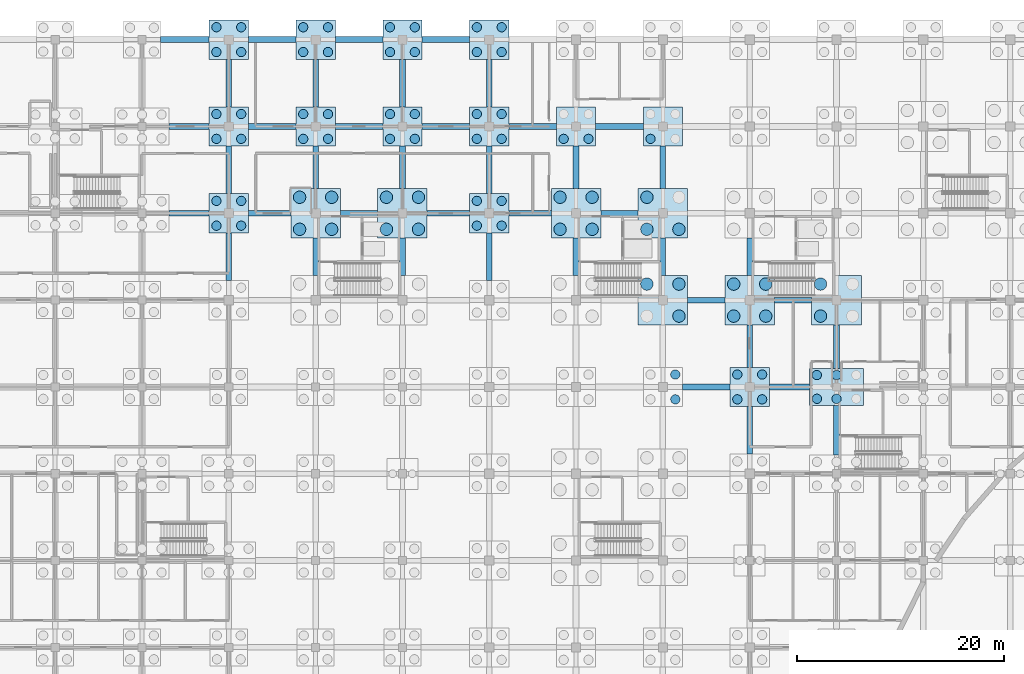
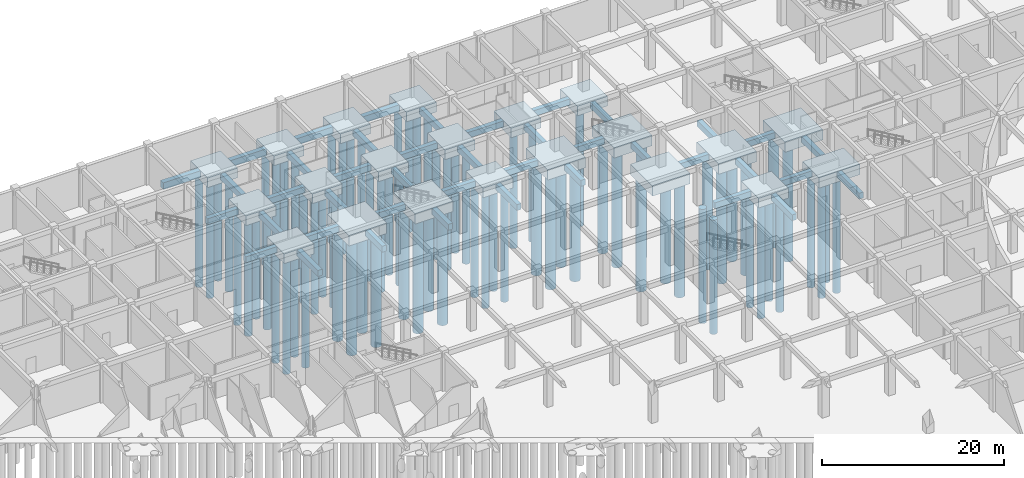
# One storey, part 11 of 65: 77 piles, 62 footings.
"""IFC4 building model written with IfcOpenShell, lengths in metres."""

import ifcopenshell
import ifcopenshell.guid

model = None  # the IFC model being written
_history = None  # IfcOwnerHistory: only IFC2X3 demands one
_inside = {}  # id of a spatial element -> (the spatial element, [elements in it])
_under = {}  # id of a project, library or spatial element -> (it, [spatial elements below it])
_declared = {}  # id of a project -> (the project, [libraries it declares])
_typed = {}  # id of a type object -> (the type object, [elements of that type])
_made_of = {}  # id of a material, layer set ... -> (it, [elements and type objects made of it])


def new_model(schema):
    """Start an empty IFC model of exactly this schema.

    Asked for "IFC4X3", IfcOpenShell would pick the latest addendum, in which some entities
    have other attributes; the version numbers below select the first issue.
    IFC2X3 requires an IfcOwnerHistory on every rooted entity: one is made here for all.
    """
    global model, _history
    if schema == "IFC4X3":
        model = ifcopenshell.file(schema_version=(4, 3, 0, 0))
    else:
        model = ifcopenshell.file(schema=schema)
    _inside.clear()
    _under.clear()
    _declared.clear()
    _typed.clear()
    _made_of.clear()
    _history = None
    if model.schema == "IFC2X3":
        org = make("IfcOrganization", Name="unknown")
        user = make(
            "IfcPersonAndOrganization",
            ThePerson=make("IfcPerson", FamilyName="unknown"),
            TheOrganization=org,
        )
        app = make(
            "IfcApplication",
            ApplicationDeveloper=org,
            Version="unknown",
            ApplicationFullName="unknown",
            ApplicationIdentifier="unknown",
        )
        _history = make(
            "IfcOwnerHistory",
            OwningUser=user,
            OwningApplication=app,
            ChangeAction="ADDED",
            CreationDate=0,
        )
    return model


def make(cls, **values):
    """One entity of the class cls with the attributes given. An attribute that is None is left unset."""
    return model.create_entity(
        cls, **{name: value for name, value in values.items() if value is not None}
    )


def rooted(cls, **values):
    """An entity with a GlobalId (a new one), such as an element, a storey or a relation."""
    return make(cls, GlobalId=ifcopenshell.guid.new(), OwnerHistory=_history, **values)


def si_unit(unit_type, name, prefix=None):
    """IfcSIUnit, for example si_unit("LENGTHUNIT", "METRE", prefix="MILLI")."""
    return make("IfcSIUnit", UnitType=unit_type, Prefix=prefix, Name=name)


def assignment(units):
    """IfcUnitAssignment: the units of a project."""
    return None if units is None else make("IfcUnitAssignment", Units=units)


def point(xyz):
    """IfcCartesianPoint."""
    return None if xyz is None else make("IfcCartesianPoint", Coordinates=xyz)


def direction(xyz):
    """IfcDirection."""
    return None if xyz is None else make("IfcDirection", DirectionRatios=xyz)


def frame(location, z_axis=None, x_axis=None):
    """IfcAxis2Placement3D, a coordinate frame: its origin and axes. An axis left out is left unset."""
    return make(
        "IfcAxis2Placement3D",
        Location=point(location),
        Axis=direction(z_axis),
        RefDirection=direction(x_axis),
    )


def frame_2d(location, x_axis=None):
    """IfcAxis2Placement2D, a coordinate frame in the plane: its origin and x axis."""
    return make(
        "IfcAxis2Placement2D", Location=point(location), RefDirection=direction(x_axis)
    )


def origin():
    """The frame at (0, 0, 0) with its axes left unset."""
    return frame((0.0, 0.0, 0.0))


def origin_2d():
    """The frame at (0, 0) in the plane with its x axis left unset."""
    return frame_2d((0.0, 0.0))


def place(relative_to, where):
    """IfcLocalPlacement: puts the frame where relative to a parent placement (None: the world)."""
    return make(
        "IfcLocalPlacement", PlacementRelTo=relative_to, RelativePlacement=where
    )


def context(
    kind, dimensions, precision=None, world=None, true_north=None, identifier=None
):
    """IfcGeometricRepresentationContext, for example the 3D "Model" context."""
    return make(
        "IfcGeometricRepresentationContext",
        ContextIdentifier=identifier,
        ContextType=kind,
        CoordinateSpaceDimension=dimensions,
        Precision=precision,
        WorldCoordinateSystem=world,
        TrueNorth=true_north,
    )


def subcontext(parent, identifier, kind, view, scale=None):
    """IfcGeometricRepresentationSubContext, for example "Body" below "Model"."""
    return make(
        "IfcGeometricRepresentationSubContext",
        ContextIdentifier=identifier,
        ContextType=kind,
        ParentContext=parent,
        TargetScale=scale,
        TargetView=view,
    )


def project(units=None, contexts=None):
    """IfcProject with its units and contexts."""
    return rooted(
        "IfcProject",
        Name="project",
        RepresentationContexts=contexts,
        UnitsInContext=assignment(units),
    )


def spatial(cls, under=None, at=None, **own):
    """A site, building, storey or space (cls), placed at a placement, below another one or the project."""
    s = rooted(cls, ObjectPlacement=at, **own)
    if under is not None:
        _under.setdefault(under.id(), (under, []))[1].append(s)
    return s


def profile(cls, at=None, kind="AREA", **sizes):
    """A parametric profile (cls). Its sizes go by their IFC names, for example OverallWidth=200.0."""
    return make(cls, ProfileType=kind, Position=at, **sizes)


def rectangle(**sizes):
    """IfcRectangleProfileDef."""
    return profile("IfcRectangleProfileDef", **sizes)


def circle(**sizes):
    """IfcCircleProfileDef."""
    return profile("IfcCircleProfileDef", **sizes)


def extrude(swept, where, along, depth):
    """IfcExtrudedAreaSolid: the profile swept, set in the frame where, extruded along a direction by depth."""
    return make(
        "IfcExtrudedAreaSolid",
        SweptArea=swept,
        Position=where,
        ExtrudedDirection=direction(along),
        Depth=depth,
    )


def shape(context_of_items, identifier, shape_type, items):
    """IfcShapeRepresentation: the items that make up one representation, for example the "Body"."""
    return make(
        "IfcShapeRepresentation",
        ContextOfItems=context_of_items,
        RepresentationIdentifier=identifier,
        RepresentationType=shape_type,
        Items=items,
    )


def material(Name=None, Category=None):
    """IfcMaterial."""
    return make("IfcMaterial", Name=Name, Category=Category)


def material_profile(
    of_material, cross_section, Name=None, Category=None, Priority=None
):
    """IfcMaterialProfile: a cross section and its material."""
    return make(
        "IfcMaterialProfile",
        Name=Name,
        Material=of_material,
        Profile=cross_section,
        Priority=Priority,
        Category=Category,
    )


def profile_set(profiles, Name=None, composite=None):
    """IfcMaterialProfileSet."""
    return make(
        "IfcMaterialProfileSet",
        Name=Name,
        MaterialProfiles=profiles,
        CompositeProfile=composite,
    )


def made_of(thing, what):
    """Note that an element or type object is made of a material, layer set ...; save() writes the relation."""
    if what is not None:
        _made_of.setdefault(what.id(), (what, []))[1].append(thing)
    return thing


def type_object(cls, material=None, **own):
    """A type object (cls), such as IfcWallType, which elements share."""
    return made_of(rooted(cls, **own), material)


def element(
    cls,
    number,
    at=None,
    inside=None,
    cuts=None,
    type_object=None,
    material=None,
    context=None,
    identifier="Body",
    shape_type=None,
    held_by="IfcProductDefinitionShape",
    body=None,
    shapes=None,
    **own,
):
    """One element of the class cls, such as IfcWall. Its Tag is "e" and its number.

    at: its placement. inside: the storey or other place that contains it. cuts: it is an
    opening in that element (IfcRelVoidsElement). A single representation is given by context,
    identifier, shape_type and body (its items); several are given by shapes. held_by: the class
    of the entity that holds the representations. save() writes the other relations.
    """
    e = rooted(cls, Tag="e%d" % number, ObjectPlacement=at, **own)
    if body is not None:
        shapes = [shape(context, identifier, shape_type, body)]
    if shapes is not None:
        e.Representation = make(held_by, Representations=shapes)
    if inside is not None:
        _inside.setdefault(inside.id(), (inside, []))[1].append(e)
    if cuts is not None:
        rooted(
            "IfcRelVoidsElement", RelatingBuildingElement=cuts, RelatedOpeningElement=e
        )
    if type_object is not None:
        _typed.setdefault(type_object.id(), (type_object, []))[1].append(e)
    return made_of(e, material)


def aggregate(whole, parts):
    """IfcRelAggregates: a whole, such as a stair, and the parts it consists of."""
    return rooted("IfcRelAggregates", RelatingObject=whole, RelatedObjects=parts)


def save(model, path):
    """Write the relations noted so far, then the file.

    IfcRelAggregates (storeys below a building ...), IfcRelContainedInSpatialStructure (elements
    in a storey), IfcRelDefinesByType, IfcRelAssociatesMaterial and IfcRelDeclares: one each for
    every whole, place, type object, material and project.
    """
    for whole, parts in _under.values():
        aggregate(whole, parts)
    for where, things in _inside.values():
        rooted(
            "IfcRelContainedInSpatialStructure",
            RelatedElements=things,
            RelatingStructure=where,
        )
    for kind, things in _typed.values():
        rooted("IfcRelDefinesByType", RelatedObjects=things, RelatingType=kind)
    for what, things in _made_of.values():
        rooted("IfcRelAssociatesMaterial", RelatedObjects=things, RelatingMaterial=what)
    for by, libraries in _declared.values():
        rooted("IfcRelDeclares", RelatingContext=by, RelatedDefinitions=libraries)
    model.write(path)


model = new_model("IFC4")

# Units and contexts
model_context = context("Model", 3, precision=1e-05, world=origin(), true_north=direction((0.0, 1.0)))
body_context = subcontext(model_context, "Body", "Model", "MODEL_VIEW")
ifc_project = project(units=[si_unit("LENGTHUNIT", "METRE"), si_unit("AREAUNIT", "SQUARE_METRE"), si_unit("VOLUMEUNIT", "CUBIC_METRE"), si_unit("PLANEANGLEUNIT", "RADIAN"), si_unit("MASSUNIT", "GRAM", prefix="KILO")], contexts=[model_context])

# Site, building, storey
site_placement = place(None, origin())
site = spatial("IfcSite", under=ifc_project, at=site_placement, CompositionType="ELEMENT")
building_placement = place(site_placement, origin())
building = spatial("IfcBuilding", under=site, at=building_placement, Name="Bramfleet General Hospital", CompositionType="ELEMENT")
storey_placement = place(building_placement, frame((0.0, 0.0, -5.39990234375)))
storey = spatial("IfcBuildingStorey", under=building, at=storey_placement, Name="B1", CompositionType="ELEMENT", Elevation=-5.39990234375)

# Footings
ifc_material = material(Name="Concrete C35/45", Category="concrete")
ifc_material_profile_1 = material_profile(ifc_material, rectangle(XDim=0.550048828125, YDim=0.800048828125, at=origin_2d()), Name="RC FB 800x550")
ifc_profile_set_1 = profile_set([ifc_material_profile_1], Name="Concrete C35/45")
footing_type_1 = type_object("IfcFootingType", Name="FTG-FB-01", PredefinedType="FOOTING_BEAM", material=ifc_profile_set_1)
for number, where, z_axis, x_axis, name in (
    (1, (61.39990234375, 100.800048828125, -0.900146484375), (1.0, 0.0, 0.0), (0.0, 1.0, 0.0), "Foundation Tie Beam X 07-12"),
    (2, (61.39990234375, 109.199951171875, -0.900146484375), (1.0, 0.0, 0.0), (0.0, 1.0, 0.0), "Foundation Tie Beam X 07-13"),
):
    element("IfcFooting", number, at=place(storey_placement, frame(where, z_axis=z_axis, x_axis=x_axis)), inside=storey, type_object=footing_type_1, Name=name, PredefinedType="FOOTING_BEAM", context=body_context, shape_type="SweptSolid", body=[
        extrude(rectangle(XDim=0.550048828125, YDim=0.800048828125, at=origin_2d()), origin(), (0.0, 0.0, 1.0), 3.900146484375),
    ])
footing_1_placement = place(storey_placement, frame((67.199951171875, 94.300048828125, -0.900146484375), z_axis=(0.0, 1.0, 0.0), x_axis=(-1.0, 0.0, 0.0)))
element("IfcFooting", 3, at=footing_1_placement, inside=storey, type_object=footing_type_1, Name="Foundation Tie Beam Y 08-11", PredefinedType="FOOTING_BEAM", context=body_context, shape_type="SweptSolid", body=[
    extrude(rectangle(XDim=0.550048828125, YDim=0.800048828125, at=origin_2d()), origin(), (0.0, 0.0, 1.0), 4.599853515625),
])
footing_2_placement = place(storey_placement, frame((69.10009765625, 100.800048828125, -0.900146484375), z_axis=(1.0, 0.0, 0.0), x_axis=(0.0, 1.0, 0.0)))
element("IfcFooting", 4, at=footing_2_placement, inside=storey, type_object=footing_type_1, Name="Foundation Tie Beam X 08-12", PredefinedType="FOOTING_BEAM", context=body_context, shape_type="SweptSolid", body=[
    extrude(rectangle(XDim=0.550048828125, YDim=0.800048828125, at=origin_2d()), origin(), (0.0, 0.0, 1.0), 4.099853515625),
])
footing_3_placement = place(storey_placement, frame((67.199951171875, 102.699951171875, -0.900146484375), z_axis=(0.0, 1.0, 0.0), x_axis=(-1.0, 0.0, 0.0)))
element("IfcFooting", 5, at=footing_3_placement, inside=storey, type_object=footing_type_1, Name="Foundation Tie Beam Y 08-12", PredefinedType="FOOTING_BEAM", context=body_context, shape_type="SweptSolid", body=[
    extrude(rectangle(XDim=0.550048828125, YDim=0.800048828125, at=origin_2d()), origin(), (0.0, 0.0, 1.0), 4.60009765625),
])
for number, where, z_axis, x_axis, name in (
    (6, (69.10009765625, 109.199951171875, -0.900146484375), (1.0, 0.0, 0.0), (0.0, 1.0, 0.0), "Foundation Tie Beam X 08-13"),
    (7, (67.199951171875, 111.10009765625, -0.900146484375), (0.0, 1.0, 0.0), (-1.0, 0.0, 0.0), "Foundation Tie Beam Y 08-13"),
):
    element("IfcFooting", number, at=place(storey_placement, frame(where, z_axis=z_axis, x_axis=x_axis)), inside=storey, type_object=footing_type_1, Name=name, PredefinedType="FOOTING_BEAM", context=body_context, shape_type="SweptSolid", body=[
        extrude(rectangle(XDim=0.550048828125, YDim=0.800048828125, at=origin_2d()), origin(), (0.0, 0.0, 1.0), 4.599853515625),
    ])
footing_4_placement = place(storey_placement, frame((75.60009765625, 94.800048828125, -0.900146484375), z_axis=(0.0, 1.0, 0.0), x_axis=(-1.0, 0.0, 0.0)))
element("IfcFooting", 8, at=footing_4_placement, inside=storey, type_object=footing_type_1, Name="Foundation Tie Beam Y 09-11", PredefinedType="FOOTING_BEAM", context=body_context, shape_type="SweptSolid", body=[
    extrude(rectangle(XDim=0.550048828125, YDim=0.800048828125, at=origin_2d()), origin(), (0.0, 0.0, 1.0), 3.599853515625),
])
footing_5_placement = place(storey_placement, frame((78.0, 100.800048828125, -0.900146484375), z_axis=(1.0, 0.0, 0.0), x_axis=(0.0, 1.0, 0.0)))
element("IfcFooting", 9, at=footing_5_placement, inside=storey, type_object=footing_type_1, Name="Foundation Tie Beam X 09-12", PredefinedType="FOOTING_BEAM", context=body_context, shape_type="SweptSolid", body=[
    extrude(rectangle(XDim=0.550048828125, YDim=0.800048828125, at=origin_2d()), origin(), (0.0, 0.0, 1.0), 3.60009765625),
])
footing_6_placement = place(storey_placement, frame((75.60009765625, 103.199951171875, -0.900146484375), z_axis=(0.0, 1.0, 0.0), x_axis=(-1.0, 0.0, 0.0)))
element("IfcFooting", 10, at=footing_6_placement, inside=storey, type_object=footing_type_1, Name="Foundation Tie Beam Y 09-12", PredefinedType="FOOTING_BEAM", context=body_context, shape_type="SweptSolid", body=[
    extrude(rectangle(XDim=0.550048828125, YDim=0.800048828125, at=origin_2d()), origin(), (0.0, 0.0, 1.0), 4.10009765625),
])
footing_7_placement = place(storey_placement, frame((77.5, 109.199951171875, -0.900146484375), z_axis=(1.0, 0.0, 0.0), x_axis=(0.0, 1.0, 0.0)))
element("IfcFooting", 11, at=footing_7_placement, inside=storey, type_object=footing_type_1, Name="Foundation Tie Beam X 09-13", PredefinedType="FOOTING_BEAM", context=body_context, shape_type="SweptSolid", body=[
    extrude(rectangle(XDim=0.550048828125, YDim=0.800048828125, at=origin_2d()), origin(), (0.0, 0.0, 1.0), 4.60009765625),
])
footing_8_placement = place(storey_placement, frame((75.60009765625, 111.10009765625, -0.900146484375), z_axis=(0.0, 1.0, 0.0), x_axis=(-1.0, 0.0, 0.0)))
element("IfcFooting", 12, at=footing_8_placement, inside=storey, type_object=footing_type_1, Name="Foundation Tie Beam Y 09-13", PredefinedType="FOOTING_BEAM", context=body_context, shape_type="SweptSolid", body=[
    extrude(rectangle(XDim=0.550048828125, YDim=0.800048828125, at=origin_2d()), origin(), (0.0, 0.0, 1.0), 4.599853515625),
])
footing_9_placement = place(storey_placement, frame((84.0, 94.800048828125, -0.900146484375), z_axis=(0.0, 1.0, 0.0), x_axis=(-1.0, 0.0, 0.0)))
element("IfcFooting", 13, at=footing_9_placement, inside=storey, type_object=footing_type_1, Name="Foundation Tie Beam Y 10-11", PredefinedType="FOOTING_BEAM", context=body_context, shape_type="SweptSolid", body=[
    extrude(rectangle(XDim=0.550048828125, YDim=0.800048828125, at=origin_2d()), origin(), (0.0, 0.0, 1.0), 3.599853515625),
])
for number, where, z_axis, x_axis, name in (
    (14, (86.39990234375, 100.800048828125, -0.900146484375), (1.0, 0.0, 0.0), (0.0, 1.0, 0.0), "Foundation Tie Beam X 10-12"),
    (15, (84.0, 103.199951171875, -0.900146484375), (0.0, 1.0, 0.0), (-1.0, 0.0, 0.0), "Foundation Tie Beam Y 10-12"),
):
    element("IfcFooting", number, at=place(storey_placement, frame(where, z_axis=z_axis, x_axis=x_axis)), inside=storey, type_object=footing_type_1, Name=name, PredefinedType="FOOTING_BEAM", context=body_context, shape_type="SweptSolid", body=[
        extrude(rectangle(XDim=0.550048828125, YDim=0.800048828125, at=origin_2d()), origin(), (0.0, 0.0, 1.0), 4.10009765625),
    ])
footing_10_placement = place(storey_placement, frame((85.89990234375, 109.199951171875, -0.900146484375), z_axis=(1.0, 0.0, 0.0), x_axis=(0.0, 1.0, 0.0)))
element("IfcFooting", 16, at=footing_10_placement, inside=storey, type_object=footing_type_1, Name="Foundation Tie Beam X 10-13", PredefinedType="FOOTING_BEAM", context=body_context, shape_type="SweptSolid", body=[
    extrude(rectangle(XDim=0.550048828125, YDim=0.800048828125, at=origin_2d()), origin(), (0.0, 0.0, 1.0), 4.60009765625),
])
for number, where, z_axis, x_axis, name in (
    (17, (84.0, 111.10009765625, -0.900146484375), (0.0, 1.0, 0.0), (-1.0, 0.0, 0.0), "Foundation Tie Beam Y 10-13"),
    (18, (92.39990234375, 94.300048828125, -0.900146484375), (0.0, 1.0, 0.0), (-1.0, 0.0, 0.0), "Foundation Tie Beam Y 11-11"),
):
    element("IfcFooting", number, at=place(storey_placement, frame(where, z_axis=z_axis, x_axis=x_axis)), inside=storey, type_object=footing_type_1, Name=name, PredefinedType="FOOTING_BEAM", context=body_context, shape_type="SweptSolid", body=[
        extrude(rectangle(XDim=0.550048828125, YDim=0.800048828125, at=origin_2d()), origin(), (0.0, 0.0, 1.0), 4.599853515625),
    ])
footing_11_placement = place(storey_placement, frame((94.300048828125, 100.800048828125, -0.900146484375), z_axis=(1.0, 0.0, 0.0), x_axis=(0.0, 1.0, 0.0)))
element("IfcFooting", 19, at=footing_11_placement, inside=storey, type_object=footing_type_1, Name="Foundation Tie Beam X 11-12", PredefinedType="FOOTING_BEAM", context=body_context, shape_type="SweptSolid", body=[
    extrude(rectangle(XDim=0.550048828125, YDim=0.800048828125, at=origin_2d()), origin(), (0.0, 0.0, 1.0), 4.099853515625),
])
footing_12_placement = place(storey_placement, frame((92.39990234375, 102.699951171875, -0.900146484375), z_axis=(0.0, 1.0, 0.0), x_axis=(-1.0, 0.0, 0.0)))
element("IfcFooting", 20, at=footing_12_placement, inside=storey, type_object=footing_type_1, Name="Foundation Tie Beam Y 11-12", PredefinedType="FOOTING_BEAM", context=body_context, shape_type="SweptSolid", body=[
    extrude(rectangle(XDim=0.550048828125, YDim=0.800048828125, at=origin_2d()), origin(), (0.0, 0.0, 1.0), 4.60009765625),
])
for number, where, z_axis, x_axis, name in (
    (21, (94.300048828125, 109.199951171875, -0.900146484375), (1.0, 0.0, 0.0), (0.0, 1.0, 0.0), "Foundation Tie Beam X 11-13"),
    (22, (92.39990234375, 111.10009765625, -0.900146484375), (0.0, 1.0, 0.0), (-1.0, 0.0, 0.0), "Foundation Tie Beam Y 11-13"),
):
    element("IfcFooting", number, at=place(storey_placement, frame(where, z_axis=z_axis, x_axis=x_axis)), inside=storey, type_object=footing_type_1, Name=name, PredefinedType="FOOTING_BEAM", context=body_context, shape_type="SweptSolid", body=[
        extrude(rectangle(XDim=0.550048828125, YDim=0.800048828125, at=origin_2d()), origin(), (0.0, 0.0, 1.0), 4.599853515625),
    ])
footing_13_placement = place(storey_placement, frame((100.800048828125, 94.800048828125, -0.900146484375), z_axis=(0.0, 1.0, 0.0), x_axis=(-1.0, 0.0, 0.0)))
element("IfcFooting", 23, at=footing_13_placement, inside=storey, type_object=footing_type_1, Name="Foundation Tie Beam Y 12-11", PredefinedType="FOOTING_BEAM", context=body_context, shape_type="SweptSolid", body=[
    extrude(rectangle(XDim=0.550048828125, YDim=0.800048828125, at=origin_2d()), origin(), (0.0, 0.0, 1.0), 3.599853515625),
])
footing_14_placement = place(storey_placement, frame((103.199951171875, 100.800048828125, -0.900146484375), z_axis=(1.0, 0.0, 0.0), x_axis=(0.0, 1.0, 0.0)))
element("IfcFooting", 24, at=footing_14_placement, inside=storey, type_object=footing_type_1, Name="Foundation Tie Beam X 12-12", PredefinedType="FOOTING_BEAM", context=body_context, shape_type="SweptSolid", body=[
    extrude(rectangle(XDim=0.550048828125, YDim=0.800048828125, at=origin_2d()), origin(), (0.0, 0.0, 1.0), 3.60009765625),
])
footing_15_placement = place(storey_placement, frame((100.800048828125, 103.199951171875, -0.900146484375), z_axis=(0.0, 1.0, 0.0), x_axis=(-1.0, 0.0, 0.0)))
element("IfcFooting", 25, at=footing_15_placement, inside=storey, type_object=footing_type_1, Name="Foundation Tie Beam Y 12-12", PredefinedType="FOOTING_BEAM", context=body_context, shape_type="SweptSolid", body=[
    extrude(rectangle(XDim=0.550048828125, YDim=0.800048828125, at=origin_2d()), origin(), (0.0, 0.0, 1.0), 4.10009765625),
])
footing_16_placement = place(storey_placement, frame((102.699951171875, 109.199951171875, -0.900146484375), z_axis=(1.0, 0.0, 0.0), x_axis=(0.0, 1.0, 0.0)))
element("IfcFooting", 26, at=footing_16_placement, inside=storey, type_object=footing_type_1, Name="Foundation Tie Beam X 12-13", PredefinedType="FOOTING_BEAM", context=body_context, shape_type="SweptSolid", body=[
    extrude(rectangle(XDim=0.550048828125, YDim=0.800048828125, at=origin_2d()), origin(), (0.0, 0.0, 1.0), 4.60009765625),
])
footing_17_placement = place(storey_placement, frame((111.10009765625, 84.0, -0.900146484375), z_axis=(1.0, 0.0, 0.0), x_axis=(0.0, 1.0, 0.0)))
element("IfcFooting", 27, at=footing_17_placement, inside=storey, type_object=footing_type_1, Name="Foundation Tie Beam X 13-10", PredefinedType="FOOTING_BEAM", context=body_context, shape_type="SweptSolid", body=[
    extrude(rectangle(XDim=0.550048828125, YDim=0.800048828125, at=origin_2d()), origin(), (0.0, 0.0, 1.0), 4.599853515625),
])
for number, where, z_axis, x_axis, name in (
    (28, (111.60009765625, 92.39990234375, -0.900146484375), (1.0, 0.0, 0.0), (0.0, 1.0, 0.0), "Foundation Tie Beam X 13-11"),
    (29, (109.199951171875, 94.800048828125, -0.900146484375), (0.0, 1.0, 0.0), (-1.0, 0.0, 0.0), "Foundation Tie Beam Y 13-11"),
):
    element("IfcFooting", number, at=place(storey_placement, frame(where, z_axis=z_axis, x_axis=x_axis)), inside=storey, type_object=footing_type_1, Name=name, PredefinedType="FOOTING_BEAM", context=body_context, shape_type="SweptSolid", body=[
        extrude(rectangle(XDim=0.550048828125, YDim=0.800048828125, at=origin_2d()), origin(), (0.0, 0.0, 1.0), 3.599853515625),
    ])
footing_18_placement = place(storey_placement, frame((109.199951171875, 103.199951171875, -0.900146484375), z_axis=(0.0, 1.0, 0.0), x_axis=(-1.0, 0.0, 0.0)))
element("IfcFooting", 30, at=footing_18_placement, inside=storey, type_object=footing_type_1, Name="Foundation Tie Beam Y 13-12", PredefinedType="FOOTING_BEAM", context=body_context, shape_type="SweptSolid", body=[
    extrude(rectangle(XDim=0.550048828125, YDim=0.800048828125, at=origin_2d()), origin(), (0.0, 0.0, 1.0), 4.10009765625),
])
footing_19_placement = place(storey_placement, frame((117.60009765625, 77.5, -0.900146484375), z_axis=(0.0, 1.0, 0.0), x_axis=(-1.0, 0.0, 0.0)))
element("IfcFooting", 31, at=footing_19_placement, inside=storey, type_object=footing_type_1, Name="Foundation Tie Beam Y 14-09", PredefinedType="FOOTING_BEAM", context=body_context, shape_type="SweptSolid", body=[
    extrude(rectangle(XDim=0.550048828125, YDim=0.800048828125, at=origin_2d()), origin(), (0.0, 0.0, 1.0), 4.60009765625),
])
footing_20_placement = place(storey_placement, frame((119.5, 84.0, -0.900146484375), z_axis=(1.0, 0.0, 0.0), x_axis=(0.0, 1.0, 0.0)))
element("IfcFooting", 32, at=footing_20_placement, inside=storey, type_object=footing_type_1, Name="Foundation Tie Beam X 14-10", PredefinedType="FOOTING_BEAM", context=body_context, shape_type="SweptSolid", body=[
    extrude(rectangle(XDim=0.550048828125, YDim=0.800048828125, at=origin_2d()), origin(), (0.0, 0.0, 1.0), 3.89990234375),
])
footing_21_placement = place(storey_placement, frame((117.60009765625, 85.89990234375, -0.900146484375), z_axis=(0.0, 1.0, 0.0), x_axis=(-1.0, 0.0, 0.0)))
element("IfcFooting", 33, at=footing_21_placement, inside=storey, type_object=footing_type_1, Name="Foundation Tie Beam Y 14-10", PredefinedType="FOOTING_BEAM", context=body_context, shape_type="SweptSolid", body=[
    extrude(rectangle(XDim=0.550048828125, YDim=0.800048828125, at=origin_2d()), origin(), (0.0, 0.0, 1.0), 4.10009765625),
])
footing_22_placement = place(storey_placement, frame((120.0, 92.39990234375, -0.900146484375), z_axis=(1.0, 0.0, 0.0), x_axis=(0.0, 1.0, 0.0)))
element("IfcFooting", 34, at=footing_22_placement, inside=storey, type_object=footing_type_1, Name="Foundation Tie Beam X 14-11", PredefinedType="FOOTING_BEAM", context=body_context, shape_type="SweptSolid", body=[
    extrude(rectangle(XDim=0.550048828125, YDim=0.800048828125, at=origin_2d()), origin(), (0.0, 0.0, 1.0), 3.60009765625),
])
footing_23_placement = place(storey_placement, frame((117.60009765625, 94.800048828125, -0.900146484375), z_axis=(0.0, 1.0, 0.0), x_axis=(-1.0, 0.0, 0.0)))
element("IfcFooting", 35, at=footing_23_placement, inside=storey, type_object=footing_type_1, Name="Foundation Tie Beam Y 14-11", PredefinedType="FOOTING_BEAM", context=body_context, shape_type="SweptSolid", body=[
    extrude(rectangle(XDim=0.550048828125, YDim=0.800048828125, at=origin_2d()), origin(), (0.0, 0.0, 1.0), 3.599853515625),
])
footing_24_placement = place(storey_placement, frame((126.0, 77.39990234375, -0.900146484375), z_axis=(0.0, 1.0, 0.0), x_axis=(-1.0, 0.0, 0.0)))
element("IfcFooting", 36, at=footing_24_placement, inside=storey, type_object=footing_type_1, Name="Foundation Tie Beam Y 15-09", PredefinedType="FOOTING_BEAM", context=body_context, shape_type="SweptSolid", body=[
    extrude(rectangle(XDim=0.550048828125, YDim=0.800048828125, at=origin_2d()), origin(), (0.0, 0.0, 1.0), 4.800048828125),
])
footing_25_placement = place(storey_placement, frame((126.0, 85.800048828125, -0.900146484375), z_axis=(0.0, 1.0, 0.0), x_axis=(-1.0, 0.0, 0.0)))
element("IfcFooting", 37, at=footing_25_placement, inside=storey, type_object=footing_type_1, Name="Foundation Tie Beam Y 15-10", PredefinedType="FOOTING_BEAM", context=body_context, shape_type="SweptSolid", body=[
    extrude(rectangle(XDim=0.550048828125, YDim=0.800048828125, at=origin_2d()), origin(), (0.0, 0.0, 1.0), 4.199951171875),
])
ifc_material_profile_2 = material_profile(ifc_material, rectangle(XDim=0.60009765625, YDim=0.89990234375, at=origin_2d()), Name="RC FB 900x600")
ifc_profile_set_2 = profile_set([ifc_material_profile_2], Name="Concrete C35/45")
footing_type_2 = type_object("IfcFootingType", Name="FTG-FB-02", PredefinedType="FOOTING_BEAM", material=ifc_profile_set_2)
footing_26_placement = place(storey_placement, frame((60.60009765625, 117.60009765625, -0.9501953125), z_axis=(1.0, 0.0, 0.0), x_axis=(0.0, 1.0, 0.0)))
element("IfcFooting", 38, at=footing_26_placement, inside=storey, type_object=footing_type_2, Name="Foundation Tie Beam X 07-14", PredefinedType="FOOTING_BEAM", context=body_context, shape_type="SweptSolid", body=[
    extrude(rectangle(XDim=0.60009765625, YDim=0.89990234375, at=origin_2d()), origin(), (0.0, 0.0, 1.0), 4.699951171875),
])
footing_27_placement = place(storey_placement, frame((69.10009765625, 117.60009765625, -0.9501953125), z_axis=(1.0, 0.0, 0.0), x_axis=(0.0, 1.0, 0.0)))
element("IfcFooting", 39, at=footing_27_placement, inside=storey, type_object=footing_type_2, Name="Foundation Tie Beam X 08-14", PredefinedType="FOOTING_BEAM", context=body_context, shape_type="SweptSolid", body=[
    extrude(rectangle(XDim=0.60009765625, YDim=0.89990234375, at=origin_2d()), origin(), (0.0, 0.0, 1.0), 4.599853515625),
])
for number, where, z_axis, x_axis, name in (
    (40, (77.5, 117.60009765625, -0.9501953125), (1.0, 0.0, 0.0), (0.0, 1.0, 0.0), "Foundation Tie Beam X 09-14"),
    (41, (85.89990234375, 117.60009765625, -0.9501953125), (1.0, 0.0, 0.0), (0.0, 1.0, 0.0), "Foundation Tie Beam X 10-14"),
):
    element("IfcFooting", number, at=place(storey_placement, frame(where, z_axis=z_axis, x_axis=x_axis)), inside=storey, type_object=footing_type_2, Name=name, PredefinedType="FOOTING_BEAM", context=body_context, shape_type="SweptSolid", body=[
        extrude(rectangle(XDim=0.60009765625, YDim=0.89990234375, at=origin_2d()), origin(), (0.0, 0.0, 1.0), 4.60009765625),
    ])
footing_type_3 = type_object("IfcFootingType", Name="FTG-PC-04", PredefinedType="PILE_CAP", material=ifc_material)
for number, where, z_axis, x_axis, name in (
    (42, (67.199951171875, 100.800048828125, -1.80029296875), (0.0, 0.0, 1.0), (1.0, 0.0, 0.0), "Pile Cap FTG-B1-08-12"),
    (43, (67.199951171875, 109.199951171875, -1.80029296875), (0.0, 0.0, 1.0), (1.0, 0.0, 0.0), "Pile Cap FTG-B1-08-13"),
    (44, (67.199951171875, 117.60009765625, -1.80029296875), (0.0, 0.0, 1.0), (1.0, 0.0, 0.0), "Pile Cap FTG-B1-08-14"),
    (45, (75.60009765625, 109.199951171875, -1.80029296875), (0.0, 0.0, 1.0), (1.0, 0.0, 0.0), "Pile Cap FTG-B1-09-13"),
    (46, (75.60009765625, 117.60009765625, -1.80029296875), (0.0, 0.0, 1.0), (1.0, 0.0, 0.0), "Pile Cap FTG-B1-09-14"),
    (47, (84.0, 109.199951171875, -1.80029296875), (0.0, 0.0, 1.0), (1.0, 0.0, 0.0), "Pile Cap FTG-B1-10-13"),
    (48, (84.0, 117.60009765625, -1.80029296875), (0.0, 0.0, 1.0), (1.0, 0.0, 0.0), "Pile Cap FTG-B1-10-14"),
    (49, (92.39990234375, 100.800048828125, -1.80029296875), (0.0, 0.0, 1.0), (1.0, 0.0, 0.0), "Pile Cap FTG-B1-11-12"),
    (50, (92.39990234375, 109.199951171875, -1.80029296875), (0.0, 0.0, 1.0), (1.0, 0.0, 0.0), "Pile Cap FTG-B1-11-13"),
    (51, (92.39990234375, 117.60009765625, -1.80029296875), (0.0, 0.0, 1.0), (1.0, 0.0, 0.0), "Pile Cap FTG-B1-11-14"),
    (52, (100.800048828125, 109.199951171875, -1.80029296875), (0.0, 0.0, 1.0), (1.0, 0.0, 0.0), "Pile Cap FTG-B1-12-13"),
    (53, (109.199951171875, 109.199951171875, -1.80029296875), (0.0, 0.0, 1.0), (1.0, 0.0, 0.0), "Pile Cap FTG-B1-13-13"),
    (54, (117.60009765625, 84.0, -1.80029296875), (0.0, 0.0, 1.0), (1.0, 0.0, 0.0), "Pile Cap FTG-B1-14-10"),
):
    element("IfcFooting", number, at=place(storey_placement, frame(where, z_axis=z_axis, x_axis=x_axis)), inside=storey, type_object=footing_type_3, Name=name, PredefinedType="PILE_CAP", context=body_context, shape_type="SweptSolid", body=[
        extrude(rectangle(XDim=3.800048828125, YDim=3.800048828125, at=origin_2d()), origin(), (0.0, 0.0, 1.0), 1.300048828125),
    ])
footing_type_4 = type_object("IfcFootingType", Name="FTG-PC-05", PredefinedType="PILE_CAP", material=ifc_material)
for number, where, z_axis, x_axis, name in (
    (55, (75.60009765625, 100.800048828125, -1.900146484375), (0.0, 0.0, 1.0), (1.0, 0.0, 0.0), "Pile Cap FTG-B1-09-12"),
    (56, (84.0, 100.800048828125, -1.900146484375), (0.0, 0.0, 1.0), (1.0, 0.0, 0.0), "Pile Cap FTG-B1-10-12"),
    (57, (100.800048828125, 100.800048828125, -1.900146484375), (0.0, 0.0, 1.0), (1.0, 0.0, 0.0), "Pile Cap FTG-B1-12-12"),
    (58, (109.199951171875, 92.39990234375, -1.900146484375), (0.0, 0.0, 1.0), (1.0, 0.0, 0.0), "Pile Cap FTG-B1-13-11"),
    (59, (109.199951171875, 100.800048828125, -1.900146484375), (0.0, 0.0, 1.0), (1.0, 0.0, 0.0), "Pile Cap FTG-B1-13-12"),
    (60, (117.60009765625, 92.39990234375, -1.900146484375), (0.0, 0.0, 1.0), (1.0, 0.0, 0.0), "Pile Cap FTG-B1-14-11"),
    (61, (126.0, 92.39990234375, -1.900146484375), (0.0, 0.0, 1.0), (1.0, 0.0, 0.0), "Pile Cap FTG-B1-15-11"),
):
    element("IfcFooting", number, at=place(storey_placement, frame(where, z_axis=z_axis, x_axis=x_axis)), inside=storey, type_object=footing_type_4, Name=name, PredefinedType="PILE_CAP", context=body_context, shape_type="SweptSolid", body=[
        extrude(rectangle(XDim=4.800048828125, YDim=4.800048828125, at=origin_2d()), origin(), (0.0, 0.0, 1.0), 1.39990234375),
    ])
footing_type_5 = type_object("IfcFootingType", Name="FTG-PC-06", PredefinedType="PILE_CAP", material=ifc_material)
footing_28_placement = place(storey_placement, frame((126.0, 84.0, -1.900146484375), z_axis=(0.0, 0.0, 1.0), x_axis=(1.0, 0.0, 0.0)))
element("IfcFooting", 62, at=footing_28_placement, inside=storey, type_object=footing_type_5, Name="Pile Cap FTG-B1-15-10", PredefinedType="PILE_CAP", context=body_context, shape_type="SweptSolid", body=[
    extrude(rectangle(XDim=5.199951171875, YDim=3.60009765625, at=origin_2d()), origin(), (0.0, 0.0, 1.0), 1.39990234375),
])

# Piles
ifc_material_profile_3 = material_profile(ifc_material, circle(Radius=0.60009765625, at=origin_2d()), Name="PILE BORED D1200")
ifc_profile_set_3 = profile_set([ifc_material_profile_3], Name="Concrete C35/45")
pile_type_1 = type_object("IfcPileType", Name="PILE-D1200", PredefinedType="BORED", material=ifc_profile_set_3)
for number, where, z_axis, x_axis, name in (
    (63, (74.050048828125, 99.25, -1.800048828125), (0.0, 0.0, -1.0), (1.0, 0.0, 0.0), "Bored Pile PILE-B1-09-12-1"),
    (64, (77.14990234375, 99.25, -1.800048828125), (0.0, 0.0, -1.0), (1.0, 0.0, 0.0), "Bored Pile PILE-B1-09-12-2"),
    (65, (74.050048828125, 102.35009765625, -1.800048828125), (0.0, 0.0, -1.0), (1.0, 0.0, 0.0), "Bored Pile PILE-B1-09-12-3"),
    (66, (77.14990234375, 102.35009765625, -1.800048828125), (0.0, 0.0, -1.0), (1.0, 0.0, 0.0), "Bored Pile PILE-B1-09-12-4"),
    (67, (82.449951171875, 99.25, -1.800048828125), (0.0, 0.0, -1.0), (1.0, 0.0, 0.0), "Bored Pile PILE-B1-10-12-1"),
    (68, (85.550048828125, 99.25, -1.800048828125), (0.0, 0.0, -1.0), (1.0, 0.0, 0.0), "Bored Pile PILE-B1-10-12-2"),
    (69, (82.449951171875, 102.35009765625, -1.800048828125), (0.0, 0.0, -1.0), (1.0, 0.0, 0.0), "Bored Pile PILE-B1-10-12-3"),
    (70, (85.550048828125, 102.35009765625, -1.800048828125), (0.0, 0.0, -1.0), (1.0, 0.0, 0.0), "Bored Pile PILE-B1-10-12-4"),
    (71, (99.25, 99.25, -1.800048828125), (0.0, 0.0, -1.0), (1.0, 0.0, 0.0), "Bored Pile PILE-B1-12-12-1"),
    (72, (102.35009765625, 99.25, -1.800048828125), (0.0, 0.0, -1.0), (1.0, 0.0, 0.0), "Bored Pile PILE-B1-12-12-2"),
    (73, (99.25, 102.35009765625, -1.800048828125), (0.0, 0.0, -1.0), (1.0, 0.0, 0.0), "Bored Pile PILE-B1-12-12-3"),
    (74, (102.35009765625, 102.35009765625, -1.800048828125), (0.0, 0.0, -1.0), (1.0, 0.0, 0.0), "Bored Pile PILE-B1-12-12-4"),
    (75, (110.75, 90.85009765625, -1.800048828125), (0.0, 0.0, -1.0), (1.0, 0.0, 0.0), "Bored Pile PILE-B1-13-11-2"),
    (76, (107.64990234375, 93.949951171875, -1.800048828125), (0.0, 0.0, -1.0), (1.0, 0.0, 0.0), "Bored Pile PILE-B1-13-11-3"),
    (77, (110.75, 93.949951171875, -1.800048828125), (0.0, 0.0, -1.0), (1.0, 0.0, 0.0), "Bored Pile PILE-B1-13-11-4"),
    (78, (107.64990234375, 99.25, -1.800048828125), (0.0, 0.0, -1.0), (1.0, 0.0, 0.0), "Bored Pile PILE-B1-13-12-1"),
    (79, (110.75, 99.25, -1.800048828125), (0.0, 0.0, -1.0), (1.0, 0.0, 0.0), "Bored Pile PILE-B1-13-12-2"),
    (80, (107.64990234375, 102.35009765625, -1.800048828125), (0.0, 0.0, -1.0), (1.0, 0.0, 0.0), "Bored Pile PILE-B1-13-12-3"),
    (81, (116.050048828125, 90.85009765625, -1.800048828125), (0.0, 0.0, -1.0), (1.0, 0.0, 0.0), "Bored Pile PILE-B1-14-11-1"),
    (82, (119.14990234375, 90.85009765625, -1.800048828125), (0.0, 0.0, -1.0), (1.0, 0.0, 0.0), "Bored Pile PILE-B1-14-11-2"),
    (83, (116.050048828125, 93.949951171875, -1.800048828125), (0.0, 0.0, -1.0), (1.0, 0.0, 0.0), "Bored Pile PILE-B1-14-11-3"),
    (84, (119.14990234375, 93.949951171875, -1.800048828125), (0.0, 0.0, -1.0), (1.0, 0.0, 0.0), "Bored Pile PILE-B1-14-11-4"),
    (85, (124.449951171875, 90.85009765625, -1.800048828125), (0.0, 0.0, -1.0), (1.0, 0.0, 0.0), "Bored Pile PILE-B1-15-11-1"),
    (86, (124.449951171875, 93.949951171875, -1.800048828125), (0.0, 0.0, -1.0), (1.0, 0.0, 0.0), "Bored Pile PILE-B1-15-11-3"),
):
    element("IfcPile", number, at=place(storey_placement, frame(where, z_axis=z_axis, x_axis=x_axis)), inside=storey, type_object=pile_type_1, Name=name, PredefinedType="BORED", context=body_context, shape_type="SweptSolid", body=[
        extrude(circle(Radius=0.60009765625, at=origin_2d()), origin(), (0.0, 0.0, 1.0), 15.199951171875),
    ])
ifc_material_profile_4 = material_profile(ifc_material, circle(Radius=0.449951171875, at=origin_2d()), Name="PILE BORED D900")
ifc_profile_set_4 = profile_set([ifc_material_profile_4], Name="Concrete C35/45")
pile_type_2 = type_object("IfcPileType", Name="PILE-D900", PredefinedType="BORED", material=ifc_profile_set_4)
for number, where, z_axis, x_axis, name in (
    (87, (66.0, 99.60009765625, -1.7001953125), (0.0, 0.0, -1.0), (1.0, 0.0, 0.0), "Bored Pile PILE-B1-08-12-1"),
    (88, (68.39990234375, 99.60009765625, -1.7001953125), (0.0, 0.0, -1.0), (1.0, 0.0, 0.0), "Bored Pile PILE-B1-08-12-2"),
    (89, (66.0, 102.0, -1.7001953125), (0.0, 0.0, -1.0), (1.0, 0.0, 0.0), "Bored Pile PILE-B1-08-12-3"),
    (90, (68.39990234375, 102.0, -1.7001953125), (0.0, 0.0, -1.0), (1.0, 0.0, 0.0), "Bored Pile PILE-B1-08-12-4"),
    (91, (66.0, 108.0, -1.7001953125), (0.0, 0.0, -1.0), (1.0, 0.0, 0.0), "Bored Pile PILE-B1-08-13-1"),
    (92, (68.39990234375, 108.0, -1.7001953125), (0.0, 0.0, -1.0), (1.0, 0.0, 0.0), "Bored Pile PILE-B1-08-13-2"),
    (93, (66.0, 110.39990234375, -1.7001953125), (0.0, 0.0, -1.0), (1.0, 0.0, 0.0), "Bored Pile PILE-B1-08-13-3"),
    (94, (68.39990234375, 110.39990234375, -1.7001953125), (0.0, 0.0, -1.0), (1.0, 0.0, 0.0), "Bored Pile PILE-B1-08-13-4"),
    (95, (66.0, 116.39990234375, -1.7001953125), (0.0, 0.0, -1.0), (1.0, 0.0, 0.0), "Bored Pile PILE-B1-08-14-1"),
    (96, (68.39990234375, 116.39990234375, -1.7001953125), (0.0, 0.0, -1.0), (1.0, 0.0, 0.0), "Bored Pile PILE-B1-08-14-2"),
    (97, (66.0, 118.800048828125, -1.7001953125), (0.0, 0.0, -1.0), (1.0, 0.0, 0.0), "Bored Pile PILE-B1-08-14-3"),
    (98, (68.39990234375, 118.800048828125, -1.7001953125), (0.0, 0.0, -1.0), (1.0, 0.0, 0.0), "Bored Pile PILE-B1-08-14-4"),
    (99, (74.39990234375, 108.0, -1.7001953125), (0.0, 0.0, -1.0), (1.0, 0.0, 0.0), "Bored Pile PILE-B1-09-13-1"),
    (100, (76.800048828125, 108.0, -1.7001953125), (0.0, 0.0, -1.0), (1.0, 0.0, 0.0), "Bored Pile PILE-B1-09-13-2"),
    (101, (74.39990234375, 110.39990234375, -1.7001953125), (0.0, 0.0, -1.0), (1.0, 0.0, 0.0), "Bored Pile PILE-B1-09-13-3"),
    (102, (76.800048828125, 110.39990234375, -1.7001953125), (0.0, 0.0, -1.0), (1.0, 0.0, 0.0), "Bored Pile PILE-B1-09-13-4"),
    (103, (74.39990234375, 116.39990234375, -1.7001953125), (0.0, 0.0, -1.0), (1.0, 0.0, 0.0), "Bored Pile PILE-B1-09-14-1"),
    (104, (76.800048828125, 116.39990234375, -1.7001953125), (0.0, 0.0, -1.0), (1.0, 0.0, 0.0), "Bored Pile PILE-B1-09-14-2"),
    (105, (74.39990234375, 118.800048828125, -1.7001953125), (0.0, 0.0, -1.0), (1.0, 0.0, 0.0), "Bored Pile PILE-B1-09-14-3"),
    (106, (76.800048828125, 118.800048828125, -1.7001953125), (0.0, 0.0, -1.0), (1.0, 0.0, 0.0), "Bored Pile PILE-B1-09-14-4"),
    (107, (82.800048828125, 108.0, -1.7001953125), (0.0, 0.0, -1.0), (1.0, 0.0, 0.0), "Bored Pile PILE-B1-10-13-1"),
    (108, (85.199951171875, 108.0, -1.7001953125), (0.0, 0.0, -1.0), (1.0, 0.0, 0.0), "Bored Pile PILE-B1-10-13-2"),
    (109, (82.800048828125, 110.39990234375, -1.7001953125), (0.0, 0.0, -1.0), (1.0, 0.0, 0.0), "Bored Pile PILE-B1-10-13-3"),
    (110, (85.199951171875, 110.39990234375, -1.7001953125), (0.0, 0.0, -1.0), (1.0, 0.0, 0.0), "Bored Pile PILE-B1-10-13-4"),
    (111, (82.800048828125, 116.39990234375, -1.7001953125), (0.0, 0.0, -1.0), (1.0, 0.0, 0.0), "Bored Pile PILE-B1-10-14-1"),
    (112, (85.199951171875, 116.39990234375, -1.7001953125), (0.0, 0.0, -1.0), (1.0, 0.0, 0.0), "Bored Pile PILE-B1-10-14-2"),
    (113, (82.800048828125, 118.800048828125, -1.7001953125), (0.0, 0.0, -1.0), (1.0, 0.0, 0.0), "Bored Pile PILE-B1-10-14-3"),
    (114, (85.199951171875, 118.800048828125, -1.7001953125), (0.0, 0.0, -1.0), (1.0, 0.0, 0.0), "Bored Pile PILE-B1-10-14-4"),
    (115, (91.199951171875, 99.60009765625, -1.7001953125), (0.0, 0.0, -1.0), (1.0, 0.0, 0.0), "Bored Pile PILE-B1-11-12-1"),
    (116, (93.60009765625, 99.60009765625, -1.7001953125), (0.0, 0.0, -1.0), (1.0, 0.0, 0.0), "Bored Pile PILE-B1-11-12-2"),
    (117, (91.199951171875, 102.0, -1.7001953125), (0.0, 0.0, -1.0), (1.0, 0.0, 0.0), "Bored Pile PILE-B1-11-12-3"),
    (118, (93.60009765625, 102.0, -1.7001953125), (0.0, 0.0, -1.0), (1.0, 0.0, 0.0), "Bored Pile PILE-B1-11-12-4"),
    (119, (91.199951171875, 108.0, -1.7001953125), (0.0, 0.0, -1.0), (1.0, 0.0, 0.0), "Bored Pile PILE-B1-11-13-1"),
    (120, (93.60009765625, 108.0, -1.7001953125), (0.0, 0.0, -1.0), (1.0, 0.0, 0.0), "Bored Pile PILE-B1-11-13-2"),
    (121, (91.199951171875, 110.39990234375, -1.7001953125), (0.0, 0.0, -1.0), (1.0, 0.0, 0.0), "Bored Pile PILE-B1-11-13-3"),
    (122, (93.60009765625, 110.39990234375, -1.7001953125), (0.0, 0.0, -1.0), (1.0, 0.0, 0.0), "Bored Pile PILE-B1-11-13-4"),
    (123, (91.199951171875, 116.39990234375, -1.7001953125), (0.0, 0.0, -1.0), (1.0, 0.0, 0.0), "Bored Pile PILE-B1-11-14-1"),
    (124, (93.60009765625, 116.39990234375, -1.7001953125), (0.0, 0.0, -1.0), (1.0, 0.0, 0.0), "Bored Pile PILE-B1-11-14-2"),
    (125, (91.199951171875, 118.800048828125, -1.7001953125), (0.0, 0.0, -1.0), (1.0, 0.0, 0.0), "Bored Pile PILE-B1-11-14-3"),
    (126, (93.60009765625, 118.800048828125, -1.7001953125), (0.0, 0.0, -1.0), (1.0, 0.0, 0.0), "Bored Pile PILE-B1-11-14-4"),
    (127, (99.60009765625, 108.0, -1.7001953125), (0.0, 0.0, -1.0), (1.0, 0.0, 0.0), "Bored Pile PILE-B1-12-13-1"),
    (128, (102.0, 108.0, -1.7001953125), (0.0, 0.0, -1.0), (1.0, 0.0, 0.0), "Bored Pile PILE-B1-12-13-2"),
    (129, (110.39990234375, 82.800048828125, -1.7001953125), (0.0, 0.0, -1.0), (1.0, 0.0, 0.0), "Bored Pile PILE-B1-13-10-2"),
    (130, (110.39990234375, 85.199951171875, -1.7001953125), (0.0, 0.0, -1.0), (1.0, 0.0, 0.0), "Bored Pile PILE-B1-13-10-4"),
    (131, (108.0, 108.0, -1.7001953125), (0.0, 0.0, -1.0), (1.0, 0.0, 0.0), "Bored Pile PILE-B1-13-13-1"),
    (132, (116.39990234375, 82.800048828125, -1.7001953125), (0.0, 0.0, -1.0), (1.0, 0.0, 0.0), "Bored Pile PILE-B1-14-10-1"),
    (133, (118.800048828125, 82.800048828125, -1.7001953125), (0.0, 0.0, -1.0), (1.0, 0.0, 0.0), "Bored Pile PILE-B1-14-10-2"),
    (134, (116.39990234375, 85.199951171875, -1.7001953125), (0.0, 0.0, -1.0), (1.0, 0.0, 0.0), "Bored Pile PILE-B1-14-10-3"),
    (135, (118.800048828125, 85.199951171875, -1.7001953125), (0.0, 0.0, -1.0), (1.0, 0.0, 0.0), "Bored Pile PILE-B1-14-10-4"),
):
    element("IfcPile", number, at=place(storey_placement, frame(where, z_axis=z_axis, x_axis=x_axis)), inside=storey, type_object=pile_type_2, Name=name, PredefinedType="BORED", context=body_context, shape_type="SweptSolid", body=[
        extrude(circle(Radius=0.449951171875, at=origin_2d()), origin(), (0.0, 0.0, 1.0), 15.300048828125),
    ])
for number, where, z_axis, x_axis, name in (
    (136, (124.10009765625, 82.85009765625, -1.800048828125), (0.0, 0.0, -1.0), (1.0, 0.0, 0.0), "Bored Pile PILE-B1-15-10-1"),
    (137, (126.0, 82.85009765625, -1.800048828125), (0.0, 0.0, -1.0), (1.0, 0.0, 0.0), "Bored Pile PILE-B1-15-10-2"),
    (138, (124.10009765625, 85.14990234375, -1.800048828125), (0.0, 0.0, -1.0), (1.0, 0.0, 0.0), "Bored Pile PILE-B1-15-10-4"),
    (139, (126.0, 85.14990234375, -1.800048828125), (0.0, 0.0, -1.0), (1.0, 0.0, 0.0), "Bored Pile PILE-B1-15-10-5"),
):
    element("IfcPile", number, at=place(storey_placement, frame(where, z_axis=z_axis, x_axis=x_axis)), inside=storey, type_object=pile_type_2, Name=name, PredefinedType="BORED", context=body_context, shape_type="SweptSolid", body=[
        extrude(circle(Radius=0.449951171875, at=origin_2d()), origin(), (0.0, 0.0, 1.0), 15.199951171875),
    ])

save(model, "model.ifc")
